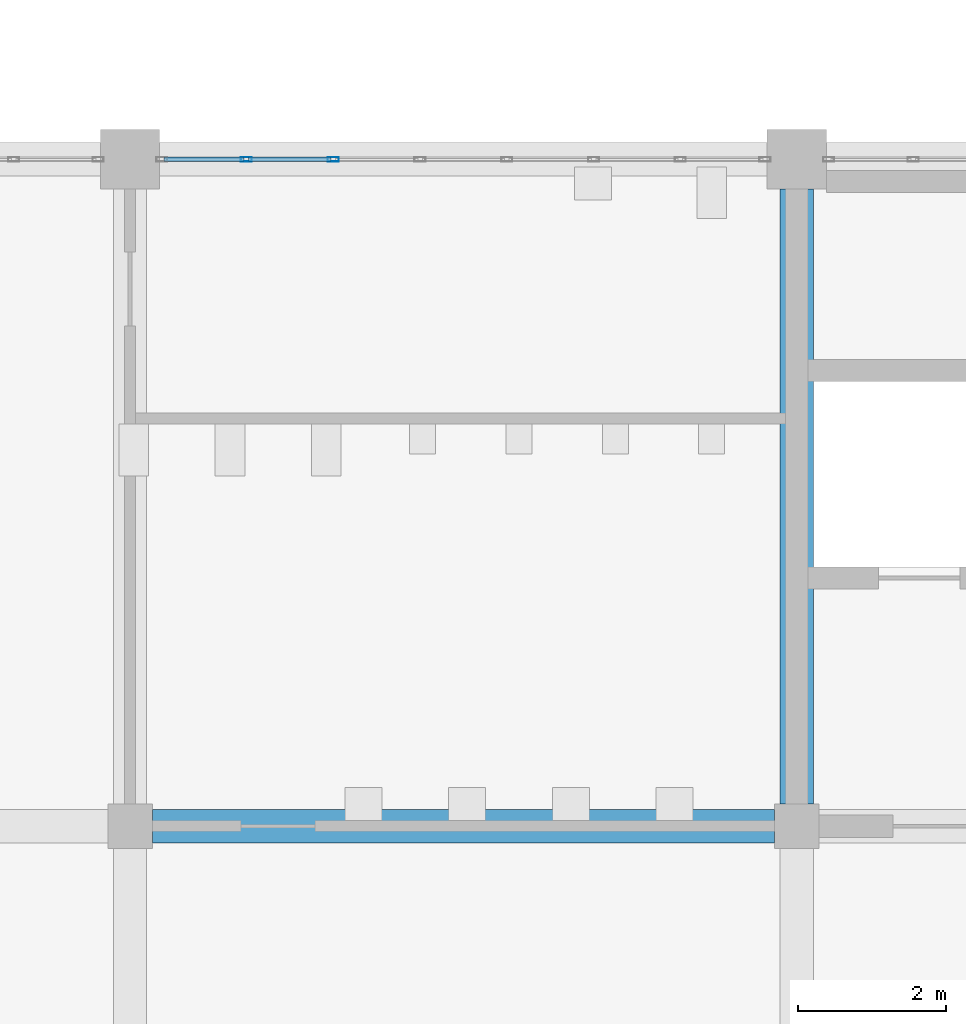
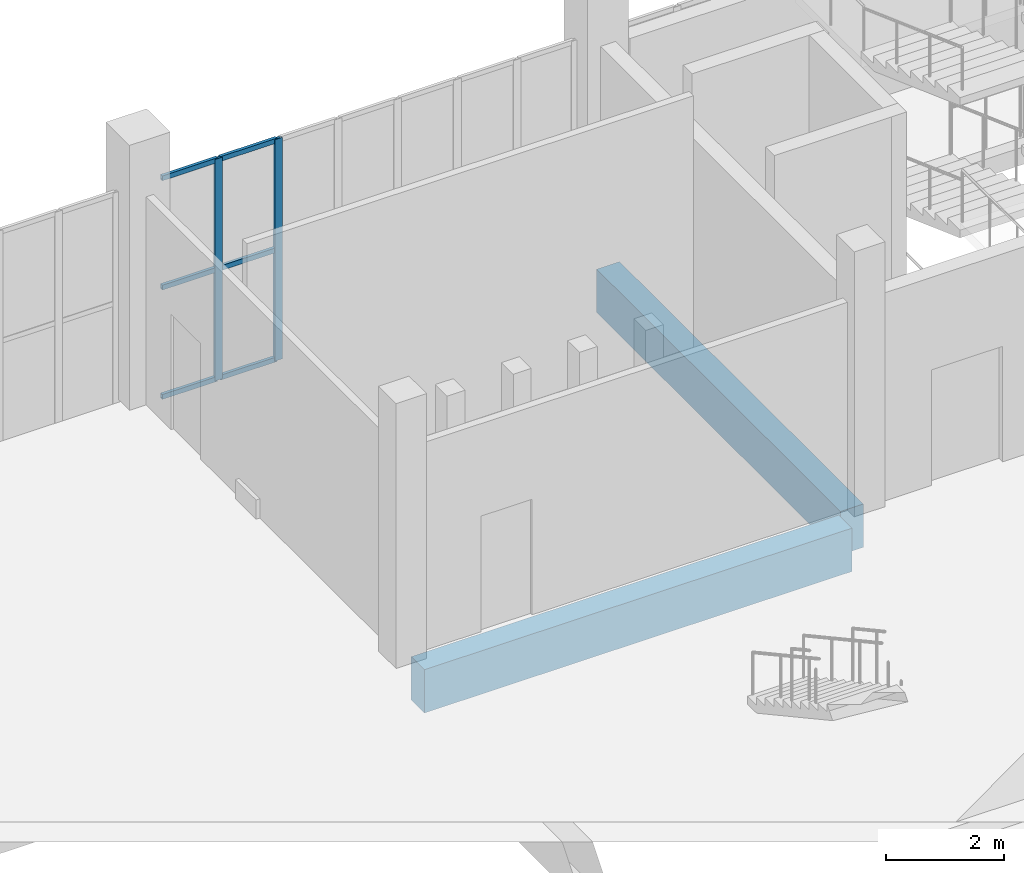
# One storey, part 37 of 185: 8 members, 2 beams, 1 element without a shape of its own.
"""IFC4 building model written with IfcOpenShell, lengths in metres."""

from ifc_helpers import new_model, si_unit, direction, frame, origin, origin_2d, place, context, subcontext, project, spatial, rectangle, hollow_rectangle, extrude, material, layer, layer_set, material_profile, profile_set, type_object, element, aggregate, save


model = new_model("IFC4")

# Units and contexts
model_context = context("Model", 3, precision=1e-05, world=origin(), true_north=direction((0.0, 1.0)))
body_context = subcontext(model_context, "Body", "Model", "MODEL_VIEW")
ifc_project = project(units=[si_unit("LENGTHUNIT", "METRE"), si_unit("AREAUNIT", "SQUARE_METRE"), si_unit("VOLUMEUNIT", "CUBIC_METRE"), si_unit("PLANEANGLEUNIT", "RADIAN"), si_unit("MASSUNIT", "GRAM", prefix="KILO")], contexts=[model_context])

# Site, building, storey
site_placement = place(None, origin())
site = spatial("IfcSite", under=ifc_project, at=site_placement, CompositionType="ELEMENT")
building_placement = place(site_placement, origin())
building = spatial("IfcBuilding", under=site, at=building_placement, Name="Opaline Strait Convention Centre", CompositionType="ELEMENT")
storey_placement = place(building_placement, frame((0.0, 0.0, 6.0)))
storey = spatial("IfcBuildingStorey", under=building, at=storey_placement, Name="L01", CompositionType="ELEMENT", Elevation=6.0)

# Curtain wall, members
ifc_material_1 = material(Name="Aluminium framed double glazing", Category="aluminium")
ifc_layer = layer(ifc_material_1, 0.199951171875)
ifc_layer_set = layer_set([ifc_layer], Name="Aluminium framed double glazing")
curtain_wall_type = type_object("IfcCurtainWallType", Name="Curtain wall 1250", PredefinedType="NOTDEFINED", material=ifc_layer_set)
curtain_wall_placement = place(storey_placement, origin())
curtain_wall = element("IfcCurtainWall", 1, at=curtain_wall_placement, inside=storey, type_object=curtain_wall_type, Name="Curtain wall N-54-L01", PredefinedType="NOTDEFINED")
ifc_material_2 = material(Name="Aluminium alloy 6063", Category="aluminium")
ifc_material_profile_1 = material_profile(ifc_material_2, hollow_rectangle(XDim=0.06005859375, YDim=0.14990234375, WallThickness=0.00390625, at=origin_2d()), Name="MULLION 60x150x4")
ifc_profile_set_1 = profile_set([ifc_material_profile_1], Name="Aluminium alloy 6063")
member_type_1 = type_object("IfcMemberType", Name="Curtain wall mullion 60 x 150", PredefinedType="MULLION", material=ifc_profile_set_1)
member_1_placement = place(storey_placement, frame((55.5712890625, 180.0, -0.280029296875), z_axis=(0.0, 0.0, 1.0), x_axis=(0.0, 1.0, 0.0)))
member_1 = element("IfcMember", 2, at=member_1_placement, type_object=member_type_1, Name="PCW mullion 2", PredefinedType="MULLION", context=body_context, shape_type="SweptSolid", body=[
    extrude(hollow_rectangle(XDim=0.06005859375, YDim=0.14990234375, WallThickness=0.00390625, at=origin_2d()), origin(), (0.0, 0.0, 1.0), 4.60009765625),
])
member_2_placement = place(storey_placement, frame((56.742919921875, 180.0, -0.280029296875), z_axis=(0.0, 0.0, 1.0), x_axis=(0.0, 1.0, 0.0)))
member_2 = element("IfcMember", 3, at=member_2_placement, type_object=member_type_1, Name="PCW mullion 3", PredefinedType="MULLION", context=body_context, shape_type="SweptSolid", body=[
    extrude(hollow_rectangle(XDim=0.06005859375, YDim=0.14990234375, WallThickness=0.00390625, at=origin_2d()), origin(), (0.0, 0.0, 1.0), 4.60009765625),
])
ifc_material_profile_2 = material_profile(ifc_material_2, hollow_rectangle(XDim=0.06005859375, YDim=0.10009765625, WallThickness=0.0029296875, at=origin_2d()), Name="TRANSOM 60x100x3")
ifc_profile_set_2 = profile_set([ifc_material_profile_2], Name="Aluminium alloy 6063")
member_type_2 = type_object("IfcMemberType", Name="Curtain wall transom 60 x 100", PredefinedType="USERDEFINED", material=ifc_profile_set_2)
member_3_placement = place(storey_placement, frame((54.4599609375, 180.0, -0.25), z_axis=(1.0, 0.0, 0.0), x_axis=(0.0, 1.0, 0.0)))
member_3 = element("IfcMember", 4, at=member_3_placement, type_object=member_type_2, Name="PCW transom 1.1", ObjectType="TRANSOM", PredefinedType="USERDEFINED", context=body_context, shape_type="SweptSolid", body=[
    extrude(hollow_rectangle(XDim=0.06005859375, YDim=0.10009765625, WallThickness=0.0029296875, at=origin_2d()), origin(), (0.0, 0.0, 1.0), 1.081298828125),
])
member_4_placement = place(storey_placement, frame((54.4599609375, 180.0, 2.02001953125), z_axis=(1.0, 0.0, 0.0), x_axis=(0.0, 1.0, 0.0)))
member_4 = element("IfcMember", 5, at=member_4_placement, type_object=member_type_2, Name="PCW transom 1.2", ObjectType="TRANSOM", PredefinedType="USERDEFINED", context=body_context, shape_type="SweptSolid", body=[
    extrude(hollow_rectangle(XDim=0.06005859375, YDim=0.10009765625, WallThickness=0.0029296875, at=origin_2d()), origin(), (0.0, 0.0, 1.0), 1.081298828125),
])
member_5_placement = place(storey_placement, frame((54.4599609375, 180.0, 4.2900390625), z_axis=(1.0, 0.0, 0.0), x_axis=(0.0, 1.0, 0.0)))
member_5 = element("IfcMember", 6, at=member_5_placement, type_object=member_type_2, Name="PCW transom 1.3", ObjectType="TRANSOM", PredefinedType="USERDEFINED", context=body_context, shape_type="SweptSolid", body=[
    extrude(hollow_rectangle(XDim=0.06005859375, YDim=0.10009765625, WallThickness=0.0029296875, at=origin_2d()), origin(), (0.0, 0.0, 1.0), 1.081298828125),
])
member_6_placement = place(storey_placement, frame((55.601318359375, 180.0, -0.25), z_axis=(1.0, 0.0, 0.0), x_axis=(0.0, 1.0, 0.0)))
member_6 = element("IfcMember", 7, at=member_6_placement, type_object=member_type_2, Name="PCW transom 2.1", ObjectType="TRANSOM", PredefinedType="USERDEFINED", context=body_context, shape_type="SweptSolid", body=[
    extrude(hollow_rectangle(XDim=0.06005859375, YDim=0.10009765625, WallThickness=0.0029296875, at=origin_2d()), origin(), (0.0, 0.0, 1.0), 1.111572265625),
])
member_7_placement = place(storey_placement, frame((55.601318359375, 180.0, 2.02001953125), z_axis=(1.0, 0.0, 0.0), x_axis=(0.0, 1.0, 0.0)))
member_7 = element("IfcMember", 8, at=member_7_placement, type_object=member_type_2, Name="PCW transom 2.2", ObjectType="TRANSOM", PredefinedType="USERDEFINED", context=body_context, shape_type="SweptSolid", body=[
    extrude(hollow_rectangle(XDim=0.06005859375, YDim=0.10009765625, WallThickness=0.0029296875, at=origin_2d()), origin(), (0.0, 0.0, 1.0), 1.111572265625),
])
member_8_placement = place(storey_placement, frame((55.601318359375, 180.0, 4.2900390625), z_axis=(1.0, 0.0, 0.0), x_axis=(0.0, 1.0, 0.0)))
member_8 = element("IfcMember", 9, at=member_8_placement, type_object=member_type_2, Name="PCW transom 2.3", ObjectType="TRANSOM", PredefinedType="USERDEFINED", context=body_context, shape_type="SweptSolid", body=[
    extrude(hollow_rectangle(XDim=0.06005859375, YDim=0.10009765625, WallThickness=0.0029296875, at=origin_2d()), origin(), (0.0, 0.0, 1.0), 1.111572265625),
])
aggregate(curtain_wall, [member_1, member_2, member_3, member_4, member_5, member_6, member_7, member_8])

# Beams
ifc_material_3 = material(Name="Concrete C35", Category="concrete")
ifc_material_profile_3 = material_profile(ifc_material_3, rectangle(XDim=0.449951171875, YDim=0.89990234375, at=origin_2d()), Name="RC 450x900")
ifc_profile_set_3 = profile_set([ifc_material_profile_3], Name="Concrete C35")
beam_type = type_object("IfcBeamType", Name="RC floor beam 450x900 C35", PredefinedType="BEAM", material=ifc_profile_set_3)
beam_1_placement = place(storey_placement, frame((54.300048828125, 171.0, -0.72998046875), z_axis=(1.0, 0.0, 0.0), x_axis=(0.0, 1.0, 0.0)))
element("IfcBeam", 10, at=beam_1_placement, inside=storey, type_object=beam_type, Name="PFB1 L01 beam 7/V-8/V", PredefinedType="BEAM", context=body_context, shape_type="SweptSolid", body=[
    extrude(rectangle(XDim=0.449951171875, YDim=0.89990234375, at=origin_2d()), origin(), (0.0, 0.0, 1.0), 8.39990234375),
])
beam_2_placement = place(storey_placement, frame((63.0, 171.300048828125, -0.72998046875), z_axis=(0.0, 1.0, 0.0), x_axis=(-1.0, 0.0, 0.0)))
element("IfcBeam", 11, at=beam_2_placement, inside=storey, type_object=beam_type, Name="PFB1 L01 beam 8/V-8/W", PredefinedType="BEAM", context=body_context, shape_type="SweptSolid", body=[
    extrude(rectangle(XDim=0.449951171875, YDim=0.89990234375, at=origin_2d()), origin(), (0.0, 0.0, 1.0), 8.300048828125),
])

save(model, "model.ifc")
